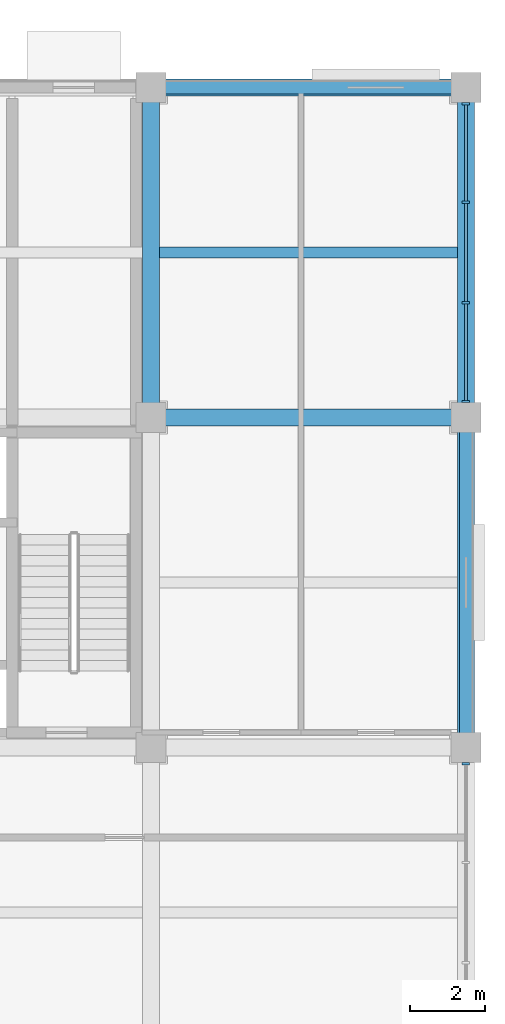
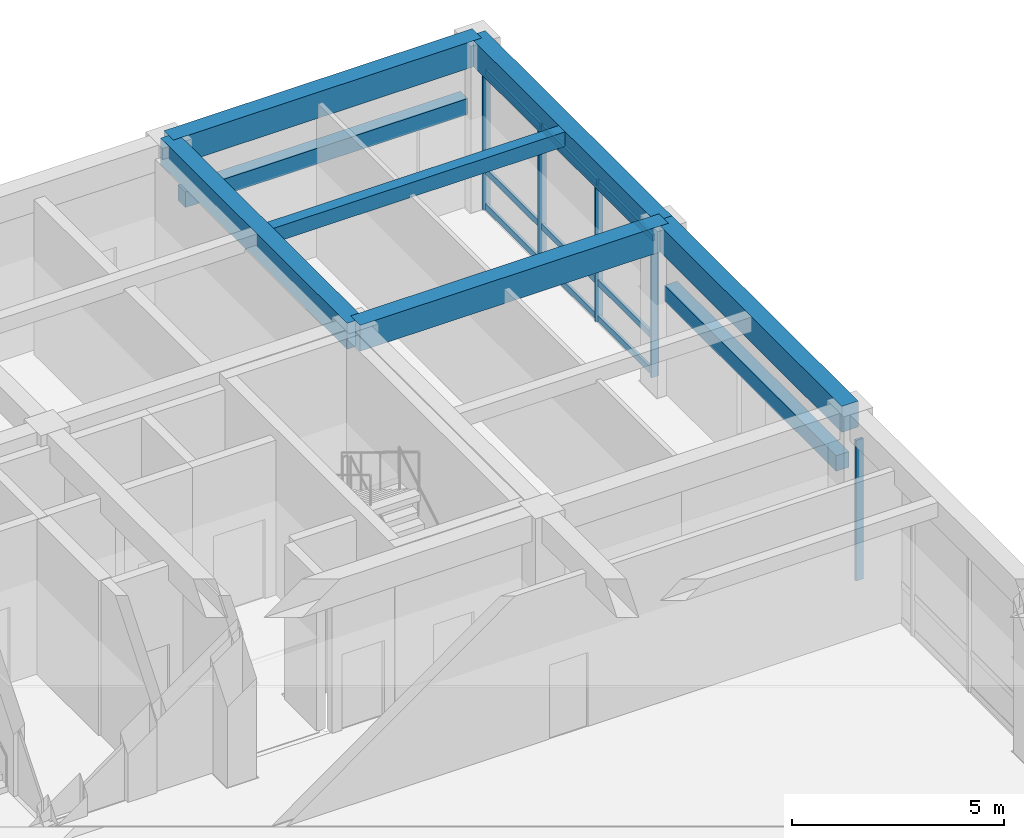
# One storey, part 25 of 58: 14 members, 8 beams, 2 elements without a shape of their own.
"""IFC4 building model written with IfcOpenShell, lengths in metres."""

from ifc_helpers import new_model, si_unit, direction, frame, origin, origin_2d, place, context, subcontext, project, spatial, rectangle, extrude, material, material_profile, profile_set, type_object, element, aggregate, save


model = new_model("IFC4")

# Units and contexts
model_context = context("Model", 3, precision=1e-05, world=origin(), true_north=direction((0.0, 1.0)))
body_context = subcontext(model_context, "Body", "Model", "MODEL_VIEW")
ifc_project = project(units=[si_unit("LENGTHUNIT", "METRE"), si_unit("AREAUNIT", "SQUARE_METRE"), si_unit("VOLUMEUNIT", "CUBIC_METRE"), si_unit("PLANEANGLEUNIT", "RADIAN"), si_unit("MASSUNIT", "GRAM", prefix="KILO")], contexts=[model_context])

# Site, building, storey
site_placement = place(None, origin())
site = spatial("IfcSite", under=ifc_project, at=site_placement, CompositionType="ELEMENT")
building_placement = place(site_placement, origin())
building = spatial("IfcBuilding", under=site, at=building_placement, Name="Kemercrest Conservatory and Botanical Centre", CompositionType="ELEMENT")
storey_placement = place(building_placement, origin())
storey = spatial("IfcBuildingStorey", under=building, at=storey_placement, Name="L00", CompositionType="ELEMENT", Elevation=0.0)

# Beams
ifc_material_1 = material(Name="Concrete C40/50", Category="concrete")
ifc_material_profile_1 = material_profile(ifc_material_1, rectangle(XDim=0.449951171875, YDim=0.75, at=origin_2d()), Name="RC 450x750")
ifc_profile_set_1 = profile_set([ifc_material_profile_1], Name="Concrete C40/50")
beam_type_1 = type_object("IfcBeamType", Name="BM-RC75", PredefinedType="BEAM", material=ifc_profile_set_1)
beam_1_placement = place(storey_placement, frame((167.60009765625, 113.60009765625, 4.425048828125), z_axis=(1.0, 0.0, 0.0), x_axis=(0.0, 1.0, 0.0)))
element("IfcBeam", 1, at=beam_1_placement, inside=storey, type_object=beam_type_1, Name="V4-L01 beam BM-RC75 N/20-21", PredefinedType="BEAM", context=body_context, shape_type="SweptSolid", body=[
    extrude(rectangle(XDim=0.449951171875, YDim=0.75, at=origin_2d()), origin(), (0.0, 0.0, 1.0), 8.39990234375),
])
beam_2_placement = place(storey_placement, frame((167.60009765625, 113.60009765625, 4.425048828125), z_axis=(0.0, 1.0, 0.0), x_axis=(-1.0, 0.0, 0.0)))
element("IfcBeam", 2, at=beam_2_placement, inside=storey, type_object=beam_type_1, Name="V4-L01 beam BM-RC75 20/N-P", PredefinedType="BEAM", context=body_context, shape_type="SweptSolid", body=[
    extrude(rectangle(XDim=0.449951171875, YDim=0.75, at=origin_2d()), origin(), (0.0, 0.0, 1.0), 8.7998046875),
])

# Curtain wall, member
ifc_material_2 = material(Name="Thermally broken aluminium and triple low-e glazing", Category="aluminium")
curtain_wall_type_1 = type_object("IfcCurtainWallType", Name="CW-16", PredefinedType="USERDEFINED", material=ifc_material_2)
curtain_wall_1_placement = place(storey_placement, origin())
curtain_wall_1 = element("IfcCurtainWall", 3, at=curtain_wall_1_placement, inside=storey, type_object=curtain_wall_type_1, Name="Unitised curtain wall CW-16 (CW:L00:V4-045)", ObjectType="UNITISED CURTAIN WALL", PredefinedType="USERDEFINED")
ifc_material_3 = material(Name="Thermally broken anodized aluminium 6063-T6", Category="aluminium")
ifc_material_profile_2 = material_profile(ifc_material_3, rectangle(XDim=0.199951171875, YDim=0.06494140625, at=origin_2d()), Name="AL MULLION 65x200")
ifc_profile_set_2 = profile_set([ifc_material_profile_2], Name="Thermally broken anodized aluminium 6063-T6")
member_type_1 = type_object("IfcMemberType", Name="CW-M200", PredefinedType="MULLION", material=ifc_profile_set_2)
member_1_placement = place(storey_placement, frame((176.0, 104.37255859375, 0.0), z_axis=(0.0, 0.0, 1.0), x_axis=(-1.0, 0.0, 0.0)))
member_1 = element("IfcMember", 4, at=member_1_placement, type_object=member_type_1, Name="CW-16 mullion 4", PredefinedType="MULLION", context=body_context, shape_type="SweptSolid", body=[
    extrude(rectangle(XDim=0.199951171875, YDim=0.06494140625, at=origin_2d()), origin(), (0.0, 0.0, 1.0), 4.054931640625),
])
aggregate(curtain_wall_1, [member_1])

# Curtain wall, members
curtain_wall_type_2 = type_object("IfcCurtainWallType", Name="CW-17", PredefinedType="USERDEFINED", material=ifc_material_2)
curtain_wall_2_placement = place(storey_placement, origin())
curtain_wall_2 = element("IfcCurtainWall", 5, at=curtain_wall_2_placement, inside=storey, type_object=curtain_wall_type_2, Name="Unitised curtain wall CW-17 (CW:L00:V4-046)", ObjectType="UNITISED CURTAIN WALL", PredefinedType="USERDEFINED")
member_2_placement = place(storey_placement, frame((176.0, 114.027587890625, 0.0), z_axis=(0.0, 0.0, 1.0), x_axis=(-1.0, 0.0, 0.0)))
member_2 = element("IfcMember", 6, at=member_2_placement, type_object=member_type_1, Name="CW-17 mullion 1", PredefinedType="MULLION", context=body_context, shape_type="SweptSolid", body=[
    extrude(rectangle(XDim=0.199951171875, YDim=0.06494140625, at=origin_2d()), origin(), (0.0, 0.0, 1.0), 4.054931640625),
])
member_3_placement = place(storey_placement, frame((176.0, 116.6650390625, 0.0), z_axis=(0.0, 0.0, 1.0), x_axis=(-1.0, 0.0, 0.0)))
member_3 = element("IfcMember", 7, at=member_3_placement, type_object=member_type_1, Name="CW-17 mullion 2", PredefinedType="MULLION", context=body_context, shape_type="SweptSolid", body=[
    extrude(rectangle(XDim=0.199951171875, YDim=0.06494140625, at=origin_2d()), origin(), (0.0, 0.0, 1.0), 4.054931640625),
])
member_4_placement = place(storey_placement, frame((176.0, 119.3349609375, 0.0), z_axis=(0.0, 0.0, 1.0), x_axis=(-1.0, 0.0, 0.0)))
member_4 = element("IfcMember", 8, at=member_4_placement, type_object=member_type_1, Name="CW-17 mullion 3", PredefinedType="MULLION", context=body_context, shape_type="SweptSolid", body=[
    extrude(rectangle(XDim=0.199951171875, YDim=0.06494140625, at=origin_2d()), origin(), (0.0, 0.0, 1.0), 4.054931640625),
])
member_5_placement = place(storey_placement, frame((176.0, 121.972412109375, 0.0), z_axis=(0.0, 0.0, 1.0), x_axis=(-1.0, 0.0, 0.0)))
member_5 = element("IfcMember", 9, at=member_5_placement, type_object=member_type_1, Name="CW-17 mullion 4", PredefinedType="MULLION", context=body_context, shape_type="SweptSolid", body=[
    extrude(rectangle(XDim=0.199951171875, YDim=0.06494140625, at=origin_2d()), origin(), (0.0, 0.0, 1.0), 4.054931640625),
])
ifc_material_profile_3 = material_profile(ifc_material_3, rectangle(XDim=0.074951171875, YDim=0.179931640625, at=origin_2d()), Name="AL TRANSOM 75x180")
ifc_profile_set_3 = profile_set([ifc_material_profile_3], Name="Thermally broken anodized aluminium 6063-T6")
member_type_2 = type_object("IfcMemberType", Name="CW-T180", PredefinedType="USERDEFINED", material=ifc_profile_set_3)
member_6_placement = place(storey_placement, frame((176.0, 114.06005859375, 0.090087890625), z_axis=(0.0, 1.0, 0.0), x_axis=(-1.0, 0.0, 0.0)))
member_6 = element("IfcMember", 10, at=member_6_placement, type_object=member_type_2, Name="CW-17 transom 1.1", ObjectType="TRANSOM", PredefinedType="USERDEFINED", context=body_context, shape_type="SweptSolid", body=[
    extrude(rectangle(XDim=0.074951171875, YDim=0.179931640625, at=origin_2d()), origin(), (0.0, 0.0, 1.0), 2.572509765625),
])
member_7_placement = place(storey_placement, frame((176.0, 114.06005859375, 1.1201171875), z_axis=(0.0, 1.0, 0.0), x_axis=(-1.0, 0.0, 0.0)))
member_7 = element("IfcMember", 11, at=member_7_placement, type_object=member_type_2, Name="CW-17 transom 1.2", ObjectType="TRANSOM", PredefinedType="USERDEFINED", context=body_context, shape_type="SweptSolid", body=[
    extrude(rectangle(XDim=0.074951171875, YDim=0.179931640625, at=origin_2d()), origin(), (0.0, 0.0, 1.0), 2.572509765625),
])
member_8_placement = place(storey_placement, frame((176.0, 114.06005859375, 3.965087890625), z_axis=(0.0, 1.0, 0.0), x_axis=(-1.0, 0.0, 0.0)))
member_8 = element("IfcMember", 12, at=member_8_placement, type_object=member_type_2, Name="CW-17 transom 1.3", ObjectType="TRANSOM", PredefinedType="USERDEFINED", context=body_context, shape_type="SweptSolid", body=[
    extrude(rectangle(XDim=0.074951171875, YDim=0.179931640625, at=origin_2d()), origin(), (0.0, 0.0, 1.0), 2.572509765625),
])
member_9_placement = place(storey_placement, frame((176.0, 116.697509765625, 0.090087890625), z_axis=(0.0, 1.0, 0.0), x_axis=(-1.0, 0.0, 0.0)))
member_9 = element("IfcMember", 13, at=member_9_placement, type_object=member_type_2, Name="CW-17 transom 2.1", ObjectType="TRANSOM", PredefinedType="USERDEFINED", context=body_context, shape_type="SweptSolid", body=[
    extrude(rectangle(XDim=0.074951171875, YDim=0.179931640625, at=origin_2d()), origin(), (0.0, 0.0, 1.0), 2.60498046875),
])
member_10_placement = place(storey_placement, frame((176.0, 116.697509765625, 1.1201171875), z_axis=(0.0, 1.0, 0.0), x_axis=(-1.0, 0.0, 0.0)))
member_10 = element("IfcMember", 14, at=member_10_placement, type_object=member_type_2, Name="CW-17 transom 2.2", ObjectType="TRANSOM", PredefinedType="USERDEFINED", context=body_context, shape_type="SweptSolid", body=[
    extrude(rectangle(XDim=0.074951171875, YDim=0.179931640625, at=origin_2d()), origin(), (0.0, 0.0, 1.0), 2.60498046875),
])
member_11_placement = place(storey_placement, frame((176.0, 116.697509765625, 3.965087890625), z_axis=(0.0, 1.0, 0.0), x_axis=(-1.0, 0.0, 0.0)))
member_11 = element("IfcMember", 15, at=member_11_placement, type_object=member_type_2, Name="CW-17 transom 2.3", ObjectType="TRANSOM", PredefinedType="USERDEFINED", context=body_context, shape_type="SweptSolid", body=[
    extrude(rectangle(XDim=0.074951171875, YDim=0.179931640625, at=origin_2d()), origin(), (0.0, 0.0, 1.0), 2.60498046875),
])
member_12_placement = place(storey_placement, frame((176.0, 119.367431640625, 0.090087890625), z_axis=(0.0, 1.0, 0.0), x_axis=(-1.0, 0.0, 0.0)))
member_12 = element("IfcMember", 16, at=member_12_placement, type_object=member_type_2, Name="CW-17 transom 3.1", ObjectType="TRANSOM", PredefinedType="USERDEFINED", context=body_context, shape_type="SweptSolid", body=[
    extrude(rectangle(XDim=0.074951171875, YDim=0.179931640625, at=origin_2d()), origin(), (0.0, 0.0, 1.0), 2.572509765625),
])
member_13_placement = place(storey_placement, frame((176.0, 119.367431640625, 1.1201171875), z_axis=(0.0, 1.0, 0.0), x_axis=(-1.0, 0.0, 0.0)))
member_13 = element("IfcMember", 17, at=member_13_placement, type_object=member_type_2, Name="CW-17 transom 3.2", ObjectType="TRANSOM", PredefinedType="USERDEFINED", context=body_context, shape_type="SweptSolid", body=[
    extrude(rectangle(XDim=0.074951171875, YDim=0.179931640625, at=origin_2d()), origin(), (0.0, 0.0, 1.0), 2.572509765625),
])
member_14_placement = place(storey_placement, frame((176.0, 119.367431640625, 3.965087890625), z_axis=(0.0, 1.0, 0.0), x_axis=(-1.0, 0.0, 0.0)))
member_14 = element("IfcMember", 18, at=member_14_placement, type_object=member_type_2, Name="CW-17 transom 3.3", ObjectType="TRANSOM", PredefinedType="USERDEFINED", context=body_context, shape_type="SweptSolid", body=[
    extrude(rectangle(XDim=0.074951171875, YDim=0.179931640625, at=origin_2d()), origin(), (0.0, 0.0, 1.0), 2.572509765625),
])
aggregate(curtain_wall_2, [member_2, member_3, member_4, member_5, member_6, member_7, member_8, member_9, member_10, member_11, member_12, member_13, member_14])

# Beams
ifc_material_profile_4 = material_profile(ifc_material_1, rectangle(XDim=0.300048828125, YDim=0.419921875, at=origin_2d()), Name="RC 300x420")
ifc_profile_set_4 = profile_set([ifc_material_profile_4], Name="Concrete C40/50")
beam_type_2 = type_object("IfcBeamType", Name="JS-RC42", PredefinedType="JOIST", material=ifc_profile_set_4)
beam_3_placement = place(storey_placement, frame((167.824951171875, 118.0, 4.590087890625), z_axis=(1.0, 0.0, 0.0), x_axis=(0.0, 1.0, 0.0)))
element("IfcBeam", 19, at=beam_3_placement, inside=storey, type_object=beam_type_2, Name="V4-L01 secondary joist JS-RC42", PredefinedType="JOIST", context=body_context, shape_type="SweptSolid", body=[
    extrude(rectangle(XDim=0.300048828125, YDim=0.419921875, at=origin_2d()), origin(), (0.0, 0.0, 1.0), 7.949951171875),
])
ifc_material_4 = material(Name="Precast concrete C40/50", Category="concrete")
ifc_material_profile_5 = material_profile(ifc_material_4, rectangle(XDim=0.35009765625, YDim=0.449951171875, at=origin_2d()), Name="RC 350x450")
ifc_profile_set_5 = profile_set([ifc_material_profile_5], Name="Precast concrete C40/50")
beam_type_3 = type_object("IfcBeamType", Name="LN-RC45", PredefinedType="LINTEL", material=ifc_profile_set_5)
beam_4_placement = place(storey_placement, frame((176.0, 105.14990234375, 2.925048828125), z_axis=(0.0, 1.0, 0.0), x_axis=(-1.0, 0.0, 0.0)))
element("IfcBeam", 20, at=beam_4_placement, inside=storey, type_object=beam_type_3, Name="Precast arched window lintel (WIN:L00:EXT-163)", PredefinedType="LINTEL", context=body_context, shape_type="SweptSolid", body=[
    extrude(rectangle(XDim=0.35009765625, YDim=0.449951171875, at=origin_2d()), origin(), (0.0, 0.0, 1.0), 8.10009765625),
])
beam_5_placement = place(storey_placement, frame((175.64990234375, 122.39990234375, 2.925048828125), z_axis=(-1.0, 0.0, 0.0), x_axis=(0.0, -1.0, 0.0)))
element("IfcBeam", 21, at=beam_5_placement, inside=storey, type_object=beam_type_3, Name="Precast arched window lintel (WIN:L00:EXT-164)", PredefinedType="LINTEL", context=body_context, shape_type="SweptSolid", body=[
    extrude(rectangle(XDim=0.35009765625, YDim=0.449951171875, at=origin_2d()), origin(), (0.0, 0.0, 1.0), 7.699951171875),
])
ifc_material_profile_6 = material_profile(ifc_material_1, rectangle(XDim=0.449951171875, YDim=0.75, at=origin_2d()), Name="RC 450x750")
ifc_profile_set_6 = profile_set([ifc_material_profile_6], Name="Concrete C40/50")
beam_type_4 = type_object("IfcBeamType", Name="SP-RC75", PredefinedType="SPANDREL", material=ifc_profile_set_6)
beam_6_placement = place(storey_placement, frame((167.60009765625, 122.39990234375, 4.425048828125), z_axis=(1.0, 0.0, 0.0), x_axis=(0.0, 1.0, 0.0)))
element("IfcBeam", 22, at=beam_6_placement, inside=storey, type_object=beam_type_4, Name="V4-L01 beam SP-RC75 P/20-21", PredefinedType="SPANDREL", context=body_context, shape_type="SweptSolid", body=[
    extrude(rectangle(XDim=0.449951171875, YDim=0.75, at=origin_2d()), origin(), (0.0, 0.0, 1.0), 8.39990234375),
])
beam_7_placement = place(storey_placement, frame((176.0, 104.800048828125, 4.425048828125), z_axis=(0.0, 1.0, 0.0), x_axis=(-1.0, 0.0, 0.0)))
element("IfcBeam", 23, at=beam_7_placement, inside=storey, type_object=beam_type_4, Name="V4-L01 beam SP-RC75 21/M-N", PredefinedType="SPANDREL", context=body_context, shape_type="SweptSolid", body=[
    extrude(rectangle(XDim=0.449951171875, YDim=0.75, at=origin_2d()), origin(), (0.0, 0.0, 1.0), 8.800048828125),
])
beam_8_placement = place(storey_placement, frame((176.0, 113.60009765625, 4.425048828125), z_axis=(0.0, 1.0, 0.0), x_axis=(-1.0, 0.0, 0.0)))
element("IfcBeam", 24, at=beam_8_placement, inside=storey, type_object=beam_type_4, Name="V4-L01 beam SP-RC75 21/N-P", PredefinedType="SPANDREL", context=body_context, shape_type="SweptSolid", body=[
    extrude(rectangle(XDim=0.449951171875, YDim=0.75, at=origin_2d()), origin(), (0.0, 0.0, 1.0), 8.7998046875),
])

save(model, "model.ifc")
